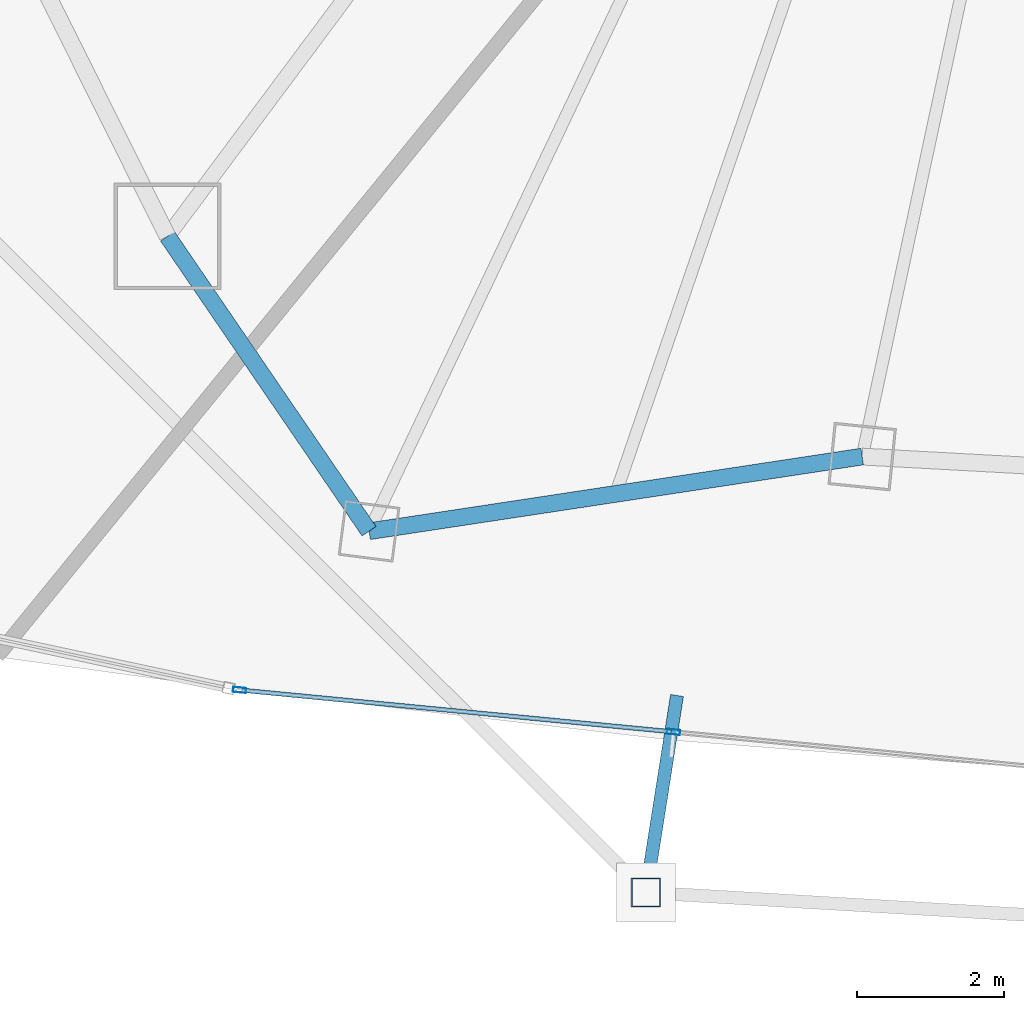
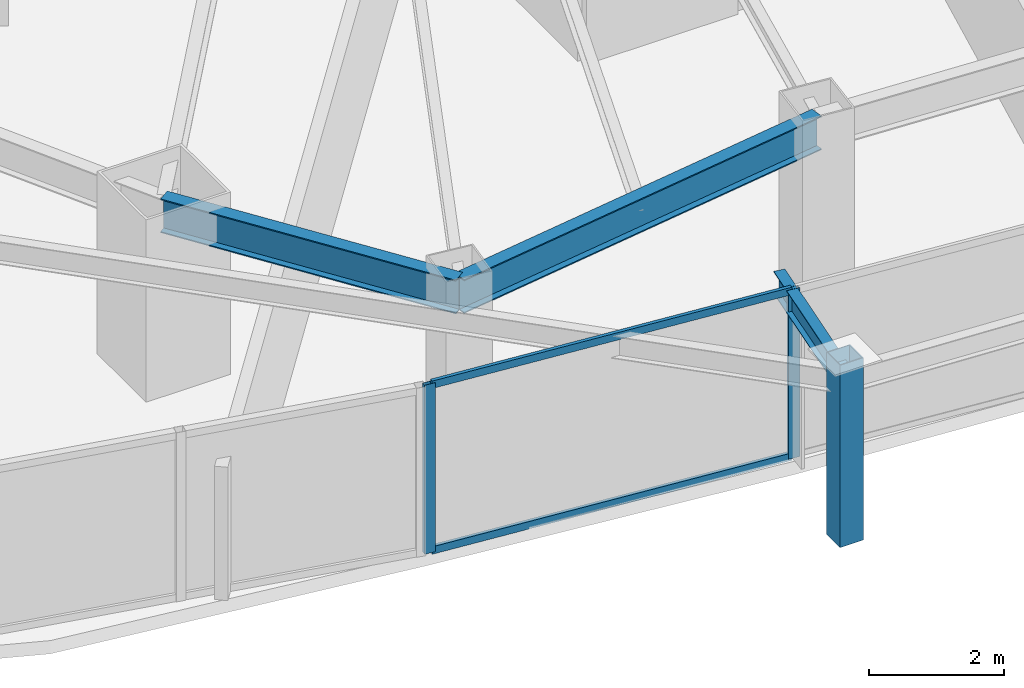
# One storey, part 4 of 33: 5 members, 3 beams, 1 element without a shape of its own.
"""IFC4 building model written with IfcOpenShell, lengths in metres."""

from ifc_helpers import new_model, si_unit, direction, frame, origin, origin_2d, place, context, subcontext, project, spatial, hollow_rectangle, i_section, extrude, material, layer, layer_set, material_profile, profile_set, type_object, element, aggregate, save


model = new_model("IFC4")

# Units and contexts
model_context = context("Model", 3, precision=1e-05, world=origin(), true_north=direction((0.0, 1.0)))
body_context = subcontext(model_context, "Body", "Model", "MODEL_VIEW")
ifc_project = project(units=[si_unit("LENGTHUNIT", "METRE"), si_unit("AREAUNIT", "SQUARE_METRE"), si_unit("VOLUMEUNIT", "CUBIC_METRE"), si_unit("PLANEANGLEUNIT", "RADIAN"), si_unit("MASSUNIT", "GRAM", prefix="KILO")], contexts=[model_context])

# Site, building, storey
site_placement = place(None, origin())
site = spatial("IfcSite", under=ifc_project, at=site_placement, CompositionType="ELEMENT")
building_placement = place(site_placement, origin())
building = spatial("IfcBuilding", under=site, at=building_placement, Name="Orvanel Arch Residences", CompositionType="ELEMENT")
storey_placement = place(building_placement, frame((0.0, 0.0, 123.199951171875)))
storey = spatial("IfcBuildingStorey", under=building, at=storey_placement, Name="L34", CompositionType="ELEMENT", Elevation=123.199951171875)

# Curtain wall, members
ifc_material_1 = material(Name="Bronze-anodised aluminium AA6063-T6", Category="aluminium")
ifc_layer = layer(ifc_material_1, 0.179931640625)
ifc_layer_set = layer_set([ifc_layer], Name="Bronze-anodised aluminium AA6063-T6")
curtain_wall_type = type_object("IfcCurtainWallType", Name="CW3-MID-SYS", PredefinedType="NOTDEFINED", material=ifc_layer_set)
curtain_wall_placement = place(storey_placement, origin())
curtain_wall = element("IfcCurtainWall", 1, at=curtain_wall_placement, inside=storey, type_object=curtain_wall_type, Name="L34 CW3-MID-SYS Unitised Curtain Wall", PredefinedType="NOTDEFINED")
ifc_material_profile_1 = material_profile(ifc_material_1, hollow_rectangle(XDim=0.070068359375, YDim=0.179931640625, WallThickness=0.00439453125, at=origin_2d()), Name="ALU180x70x4.5")
ifc_profile_set_1 = profile_set([ifc_material_profile_1], Name="Bronze-anodised aluminium AA6063-T6")
member_type_1 = type_object("IfcMemberType", Name="MUL-180x70", PredefinedType="MULLION", material=ifc_profile_set_1)
member_1_placement = place(storey_placement, frame((15.178955078125, 4.1796875, 0.0), z_axis=(0.0, 0.0, 1.0), x_axis=(0.09620902607, 0.995361152197, 0.0)))
member_1 = element("IfcMember", 2, at=member_1_placement, type_object=member_type_1, Name="CW-S3 mullion 1", PredefinedType="MULLION", context=body_context, shape_type="SweptSolid", body=[
    extrude(hollow_rectangle(XDim=0.070068359375, YDim=0.179931640625, WallThickness=0.00439453125, at=origin_2d()), origin(), (0.0, 0.0, 1.0), 3.06005859375),
])
member_2_placement = place(storey_placement, frame((21.08251953125, 3.60888671875, 0.0), z_axis=(0.0, 0.0, 1.0), x_axis=(0.09620902607, 0.995361152197, 0.0)))
member_2 = element("IfcMember", 3, at=member_2_placement, type_object=member_type_1, Name="CW-S3 mullion 2", PredefinedType="MULLION", context=body_context, shape_type="SweptSolid", body=[
    extrude(hollow_rectangle(XDim=0.070068359375, YDim=0.179931640625, WallThickness=0.00439453125, at=origin_2d()), origin(), (0.0, 0.0, 1.0), 3.06005859375),
])

# Beams
ifc_material_2 = material(Name="Structural steel AS/NZS 3679.1 Grade 300 (300 MPa)", Category="steel")
ifc_material_profile_2 = material_profile(ifc_material_2, i_section(OverallWidth=0.177978515625, OverallDepth=0.406005859375, WebThickness=0.0078125, FlangeThickness=0.0126953125, at=origin_2d()), Name="410UB59.7")
ifc_profile_set_2 = profile_set([ifc_material_profile_2], Name="Structural steel AS/NZS 3679.1 Grade 300 (300 MPa)")
beam_type_1 = type_object("IfcBeamType", Name="OB-410UB-EXT", PredefinedType="SPANDREL", material=ifc_profile_set_2)
beam_1_placement = place(storey_placement, frame((21.1298828125, 4.10498046875, 2.85693359375), z_axis=(-0.155800896713, -0.987788479677, 0.0), x_axis=(0.987788479677, -0.155800896713, 0.0)))
element("IfcBeam", 4, at=beam_1_placement, inside=storey, type_object=beam_type_1, Name="L34 Outer Frame Radial Tie Beam 05", PredefinedType="SPANDREL", context=body_context, shape_type="SweptSolid", body=[
    extrude(i_section(OverallWidth=0.177978515625, OverallDepth=0.406005859375, WebThickness=0.0078125, FlangeThickness=0.0126953125, at=origin_2d()), origin(), (0.0, 0.0, 1.0), 2.714111328125),
])
ifc_material_profile_3 = material_profile(ifc_material_2, i_section(OverallWidth=0.22900390625, OverallDepth=0.612060546875, WebThickness=0.011962890625, FlangeThickness=0.01953125, at=origin_2d()), Name="610UB125")
ifc_profile_set_3 = profile_set([ifc_material_profile_3], Name="Structural steel AS/NZS 3679.1 Grade 300 (300 MPa)")
beam_type_2 = type_object("IfcBeamType", Name="SP-610UB", PredefinedType="SPANDREL", material=ifc_profile_set_3)
beam_2_placement = place(storey_placement, frame((14.198974609375, 10.35107421875, 2.754150390625), z_axis=(0.564251579852, -0.825602903722, 0.0), x_axis=(0.825602903722, 0.564251579852, 0.0)))
element("IfcBeam", 5, at=beam_2_placement, inside=storey, type_object=beam_type_2, Name="L34 Perimeter Spandrel Beam 03", PredefinedType="SPANDREL", context=body_context, shape_type="SweptSolid", body=[
    extrude(i_section(OverallWidth=0.22900390625, OverallDepth=0.612060546875, WebThickness=0.011962890625, FlangeThickness=0.01953125, at=origin_2d()), origin(), (0.0, 0.0, 1.0), 4.859375),
])
beam_3_placement = place(storey_placement, frame((16.94091796875, 6.339111328125, 2.754150390625), z_axis=(0.988726323014, 0.149733958002, 0.0), x_axis=(-0.149733958002, 0.988726323014, 0.0)))
element("IfcBeam", 6, at=beam_3_placement, inside=storey, type_object=beam_type_2, Name="L34 Perimeter Spandrel Beam 04", PredefinedType="SPANDREL", context=body_context, shape_type="SweptSolid", body=[
    extrude(i_section(OverallWidth=0.22900390625, OverallDepth=0.612060546875, WebThickness=0.011962890625, FlangeThickness=0.01953125, at=origin_2d()), origin(), (0.0, 0.0, 1.0), 6.784423828125),
])

# Member
ifc_material_3 = material(Name="Structural steel AS/NZS 1163 C450L0 (Grade 450)", Category="steel")
ifc_material_profile_4 = material_profile(ifc_material_3, hollow_rectangle(XDim=0.39990234375, YDim=0.39990234375, WallThickness=0.01611328125, at=origin_2d()), Name="SHS400x400x16")
ifc_profile_set_4 = profile_set([ifc_material_profile_4], Name="Structural steel AS/NZS 1163 C450L0 (Grade 450)")
member_type_2 = type_object("IfcMemberType", Name="ST-400SHS-EXT", PredefinedType="STRUT", material=ifc_profile_set_4)
member_3_placement = place(storey_placement, frame((20.70703125, 1.424072265625, 0.0), z_axis=(0.0, 0.0, 1.0), x_axis=(1.0, 0.0, 0.0)))
element("IfcMember", 7, at=member_3_placement, inside=storey, type_object=member_type_2, Name="L34 Outer Perimeter Frame Post 05", PredefinedType="STRUT", context=body_context, shape_type="SweptSolid", body=[
    extrude(hollow_rectangle(XDim=0.39990234375, YDim=0.39990234375, WallThickness=0.01611328125, at=origin_2d()), origin(), (0.0, 0.0, 1.0), 3.300048828125),
])

ifc_material_profile_5 = material_profile(ifc_material_1, hollow_rectangle(XDim=0.06005859375, YDim=0.135009765625, WallThickness=0.00390625, at=origin_2d()), Name="ALU135x60x4")
ifc_profile_set_5 = profile_set([ifc_material_profile_5], Name="Bronze-anodised aluminium AA6063-T6")
member_type_3 = type_object("IfcMemberType", Name="TRN-135x60", PredefinedType="USERDEFINED", material=ifc_profile_set_5)
member_4_placement = place(storey_placement, frame((15.213623046875, 4.17626953125, 0.030029296875), z_axis=(0.99536005659, -0.096220360342, 0.0), x_axis=(0.096220360342, 0.99536005659, 0.0)))
member_4 = element("IfcMember", 8, at=member_4_placement, type_object=member_type_3, Name="CW-S3 transom 1.1", ObjectType="TRANSOM", PredefinedType="USERDEFINED", context=body_context, shape_type="SweptSolid", body=[
    extrude(hollow_rectangle(XDim=0.06005859375, YDim=0.135009765625, WallThickness=0.00390625, at=origin_2d()), origin(), (0.0, 0.0, 1.0), 5.861083984375),
])

member_5_placement = place(storey_placement, frame((15.213623046875, 4.17626953125, 3.030029296875), z_axis=(0.99536005659, -0.096220360342, 0.0), x_axis=(0.096220360342, 0.99536005659, 0.0)))
member_5 = element("IfcMember", 9, at=member_5_placement, type_object=member_type_3, Name="CW-S3 transom 1.2", ObjectType="TRANSOM", PredefinedType="USERDEFINED", context=body_context, shape_type="SweptSolid", body=[
    extrude(hollow_rectangle(XDim=0.06005859375, YDim=0.135009765625, WallThickness=0.00390625, at=origin_2d()), origin(), (0.0, 0.0, 1.0), 5.861083984375),
])

aggregate(curtain_wall, [member_1, member_2, member_4, member_5])

save(model, "model.ifc")
